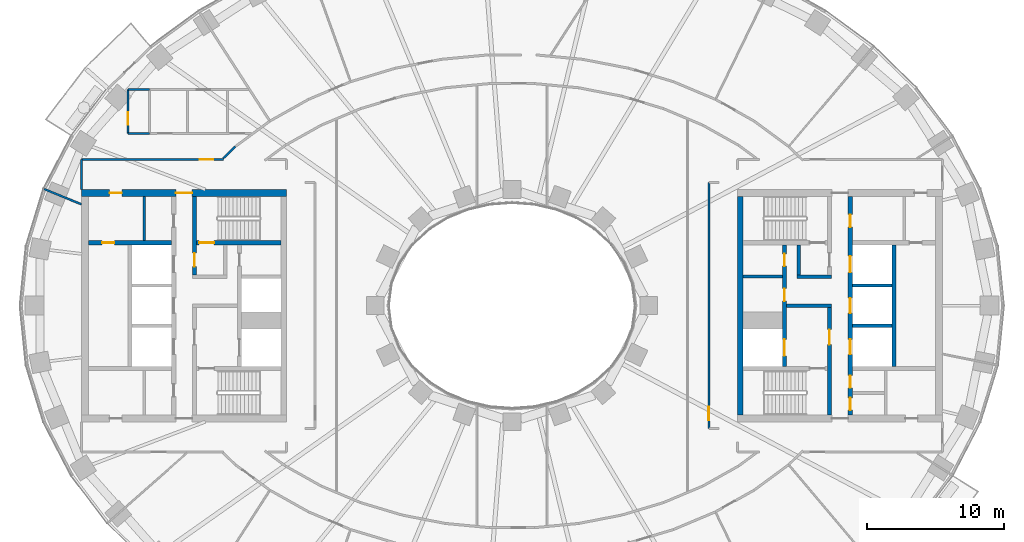
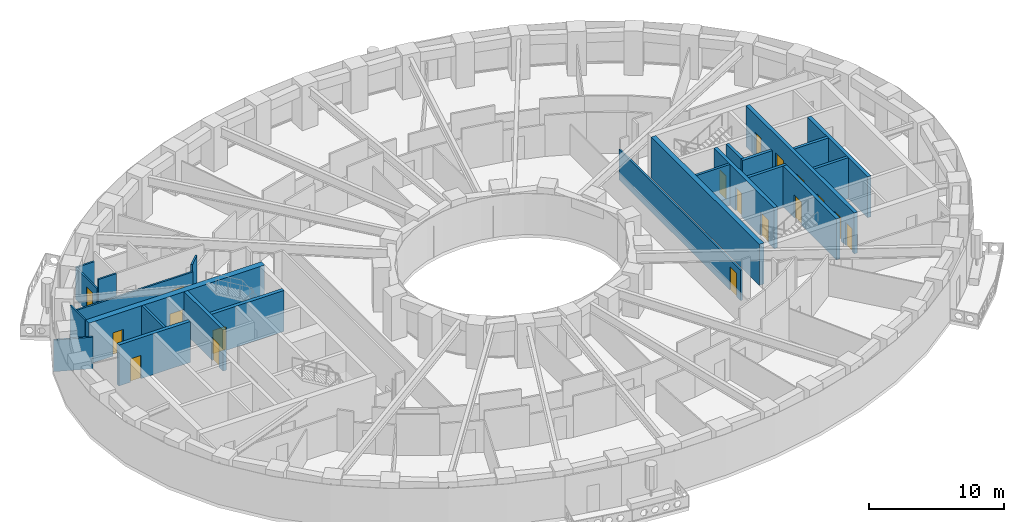
# One storey, part 5 of 16: 24 walls, 18 doors, 18 openings.
"""IFC4 building model written with IfcOpenShell, lengths in metres."""

from ifc_helpers import new_model, si_unit, direction, frame, frame_2d, origin, place, context, subcontext, project, spatial, rectangle, extrude, material, layer, layer_set, type_object, element, fill, save


model = new_model("IFC4")

# Units and contexts
model_context = context("Model", 3, precision=1e-05, world=origin(), true_north=direction((0.0, 1.0)))
body_context = subcontext(model_context, "Body", "Model", "MODEL_VIEW")
ifc_project = project(units=[si_unit("LENGTHUNIT", "METRE"), si_unit("AREAUNIT", "SQUARE_METRE"), si_unit("VOLUMEUNIT", "CUBIC_METRE"), si_unit("PLANEANGLEUNIT", "RADIAN"), si_unit("MASSUNIT", "GRAM", prefix="KILO")], contexts=[model_context])

# Site, building, storey
site_placement = place(None, origin())
site = spatial("IfcSite", under=ifc_project, at=site_placement, CompositionType="ELEMENT")
building_placement = place(site_placement, origin())
building = spatial("IfcBuilding", under=site, at=building_placement, Name="Noorbagh Ring Tower", CompositionType="ELEMENT")
storey_placement = place(building_placement, frame((0.0, 0.0, 70.5)))
storey = spatial("IfcBuildingStorey", under=building, at=storey_placement, Name="L15", CompositionType="ELEMENT", Elevation=70.5)

# Wall, opening, door
ifc_material_1 = material(Name="Gypsum board on steel studs", Category="steel")
ifc_layer_1 = layer(ifc_material_1, 0.14990234375)
ifc_layer_set_1 = layer_set([ifc_layer_1], Name="Gypsum board on steel studs")
wall_type_1 = type_object("IfcWallType", Name="COMPARTMENT PARTITION 150 EI 60", PredefinedType="PARTITIONING", material=ifc_layer_set_1)
wall_1_placement = place(storey_placement, frame((-28.09912109375, 12.60009765625, 0.0), z_axis=(0.0, 0.0, 1.0), x_axis=(0.0, 1.0, 0.0)))
wall_1 = element("IfcWall", 1, at=wall_1_placement, inside=storey, type_object=wall_type_1, Name="L15/wall/P07", PredefinedType="PARTITIONING", context=body_context, shape_type="SweptSolid", body=[
    extrude(rectangle(XDim=3.19580078125, YDim=0.14990234375, at=frame_2d((1.597900390625, 0.0))), origin(), (0.0, 0.0, 1.0), 2.85009765625),
])
opening_1_placement = place(wall_1_placement, frame((0.64990234375, 0.0, 0.0)))
opening_1 = element("IfcOpeningElement", 2, at=opening_1_placement, cuts=wall_1, Name="Opening D4", PredefinedType="OPENING", context=body_context, shape_type="SweptSolid", body=[
    extrude(rectangle(XDim=0.89990234375, YDim=2.10009765625, at=frame_2d((0.449951171875, 1.050048828125))), frame((0.0, 0.0849609375, 0.0), z_axis=(0.0, -1.0, 0.0), x_axis=(1.0, 0.0, 0.0)), (0.0, 0.0, 1.0), 0.169921875),
])
ifc_material_2 = material(Name="Timber, painted", Category="wood")
door_type_1 = type_object("IfcDoorType", Name="DOOR 900 X 2100 FD60", OperationType="SINGLE_SWING_LEFT", PredefinedType="DOOR", material=ifc_material_2)
door_1_placement = place(opening_1_placement, origin())
door_1 = element("IfcDoor", 3, at=door_1_placement, inside=storey, type_object=door_type_1, Name="L15-D05", OperationType="SINGLE_SWING_LEFT", OverallHeight=2.10009765625, OverallWidth=0.89990234375, PredefinedType="DOOR", context=body_context, shape_type="SweptSolid", body=[
    extrude(rectangle(XDim=0.89990234375, YDim=2.10009765625, at=frame_2d((0.449951171875, 1.050048828125))), frame((0.0, 0.02490234375, 0.0), z_axis=(0.0, -1.0, 0.0), x_axis=(1.0, 0.0, 0.0)), (0.0, 0.0, 1.0), 0.050048828125),
])
fill(opening_1, door_1)

# Walls
wall_2_placement = place(storey_placement, frame((-28.09912109375, 12.60009765625, 0.0), z_axis=(0.0, 0.0, 1.0), x_axis=(1.0, 0.0, 0.0)))
element("IfcWall", 4, at=wall_2_placement, inside=storey, type_object=wall_type_1, Name="L15/wall/P08", PredefinedType="PARTITIONING", context=body_context, shape_type="SweptSolid", body=[
    extrude(rectangle(XDim=1.56005859375, YDim=0.14990234375, at=frame_2d((0.780029296875, 0.0))), origin(), (0.0, 0.0, 1.0), 3.699951171875),
])
wall_3_placement = place(storey_placement, frame((-28.094970703125, 15.800048828125, 0.0), z_axis=(0.0, 0.0, 1.0), x_axis=(1.0, 0.0, 0.0)))
element("IfcWall", 5, at=wall_3_placement, inside=storey, type_object=wall_type_1, Name="L15/wall/P09", PredefinedType="PARTITIONING", context=body_context, shape_type="SweptSolid", body=[
    extrude(rectangle(XDim=1.555908203125, YDim=0.14990234375, at=frame_2d((0.77783203125, 0.0))), origin(), (0.0, 0.0, 1.0), 2.85009765625),
])
ifc_material_3 = material(Name="Gypsum board on steel studs", Category="steel")
ifc_layer_2 = layer(ifc_material_3, 0.199951171875)
ifc_layer_set_2 = layer_set([ifc_layer_2], Name="Gypsum board on steel studs")
wall_type_2 = type_object("IfcWallType", Name="CORE-PARTITION-200", PredefinedType="PARTITIONING", material=ifc_layer_set_2)
wall_4_placement = place(storey_placement, frame((-26.89990234375, 4.75, 0.0), z_axis=(0.0, 0.0, 1.0), x_axis=(0.0, 1.0, 0.0)))
element("IfcWall", 6, at=wall_4_placement, inside=storey, type_object=wall_type_2, Name="Core partition W", PredefinedType="PARTITIONING", context=body_context, shape_type="SweptSolid", body=[
    extrude(rectangle(XDim=3.25, YDim=0.199951171875, at=frame_2d((1.625, 0.0))), origin(), (0.0, 0.0, 1.0), 3.699951171875),
])
wall_5_placement = place(storey_placement, frame((16.89990234375, 2.125, 0.0), z_axis=(0.0, 0.0, 1.0), x_axis=(1.0, 0.0, 0.0)))
element("IfcWall", 7, at=wall_5_placement, inside=storey, type_object=wall_type_2, Name="Core partition E", PredefinedType="PARTITIONING", context=body_context, shape_type="SweptSolid", body=[
    extrude(rectangle(XDim=2.900146484375, YDim=0.199951171875, at=frame_2d((1.4501953125, 0.0))), origin(), (0.0, 0.0, 1.0), 3.699951171875),
])
ifc_material_4 = material(Name="Concrete C70/85", Category="concrete")
ifc_layer_3 = layer(ifc_material_4, 0.25)
ifc_layer_set_3 = layer_set([ifc_layer_3], Name="Concrete C70/85")
wall_type_3 = type_object("IfcWallType", Name="CORE-WALL-250-C70-85-EI120", PredefinedType="SHEAR", material=ifc_layer_set_3)
for number, where, z_axis, x_axis, name in (
    (8, (24.89990234375, -1.47509765625, 0.0), (0.0, 0.0, 1.0), (1.0, 0.0, 0.0), "Core wall E"),
    (9, (24.89990234375, 1.47509765625, 0.0), (0.0, 0.0, 1.0), (1.0, 0.0, 0.0), "Core wall E"),
):
    element("IfcWall", number, at=place(storey_placement, frame(where, z_axis=z_axis, x_axis=x_axis)), inside=storey, type_object=wall_type_3, Name=name, PredefinedType="SHEAR", context=body_context, shape_type="SweptSolid", body=[
        extrude(rectangle(XDim=2.900146484375, YDim=0.25, at=frame_2d((1.4501953125, 0.0))), origin(), (0.0, 0.0, 1.0), 3.699951171875),
    ])
ifc_material_5 = material(Name="Concrete C70/85", Category="concrete")
ifc_layer_4 = layer(ifc_material_5, 0.25)
ifc_layer_set_4 = layer_set([ifc_layer_4], Name="Concrete C70/85")
wall_type_4 = type_object("IfcWallType", Name="CORE-WALL-250-C70-85-EI240", PredefinedType="SHEAR", material=ifc_layer_set_4)
wall_6_placement = place(storey_placement, frame((20.10009765625, 0.0, 0.0), z_axis=(0.0, 0.0, 1.0), x_axis=(1.0, 0.0, 0.0)))
element("IfcWall", 10, at=wall_6_placement, inside=storey, type_object=wall_type_4, Name="Core wall E", PredefinedType="SHEAR", context=body_context, shape_type="SweptSolid", body=[
    extrude(rectangle(XDim=3.27978515625, YDim=0.25, at=frame_2d((1.639892578125, 0.0))), origin(), (0.0, 0.0, 1.0), 3.699951171875),
])
wall_7_placement = place(storey_placement, frame((20.85009765625, 2.125, 0.0), z_axis=(0.0, 0.0, 1.0), x_axis=(1.0, 0.0, 0.0)))
element("IfcWall", 11, at=wall_7_placement, inside=storey, type_object=wall_type_4, Name="Core wall E", PredefinedType="SHEAR", context=body_context, shape_type="SweptSolid", body=[
    extrude(rectangle(XDim=2.52978515625, YDim=0.25, at=frame_2d((1.264892578125, 0.0))), origin(), (0.0, 0.0, 1.0), 3.699951171875),
])
wall_8_placement = place(storey_placement, frame((20.97509765625, 2.25, 0.0), z_axis=(0.0, 0.0, 1.0), x_axis=(0.0, 1.0, 0.0)))
element("IfcWall", 12, at=wall_8_placement, inside=storey, type_object=wall_type_4, Name="Core wall E", PredefinedType="SHEAR", context=body_context, shape_type="SweptSolid", body=[
    extrude(rectangle(XDim=2.199951171875, YDim=0.25, at=frame_2d((1.10009765625, 0.0))), origin(), (0.0, 0.0, 1.0), 3.699951171875),
])
ifc_material_6 = material(Name="Concrete C70/85", Category="concrete")
ifc_layer_5 = layer(ifc_material_6, 0.300048828125)
ifc_layer_set_5 = layer_set([ifc_layer_5], Name="Concrete C70/85")
wall_type_5 = type_object("IfcWallType", Name="CORE-WALL-300-C70-85-EI120", PredefinedType="SHEAR", material=ifc_layer_set_5)
wall_9_placement = place(storey_placement, frame((27.949951171875, -4.449951171875, 0.0), z_axis=(0.0, 0.0, 1.0), x_axis=(0.0, 1.0, 0.0)))
element("IfcWall", 13, at=wall_9_placement, inside=storey, type_object=wall_type_5, Name="Core wall E", PredefinedType="SHEAR", context=body_context, shape_type="SweptSolid", body=[
    extrude(rectangle(XDim=8.89990234375, YDim=0.300048828125, at=frame_2d((4.449951171875, 0.0))), origin(), (0.0, 0.0, 1.0), 3.699951171875),
])

# Wall, openings, doors
wall_10_placement = place(storey_placement, frame((19.949951171875, -4.449951171875, 0.0), z_axis=(0.0, 0.0, 1.0), x_axis=(0.0, 1.0, 0.0)))
wall_10 = element("IfcWall", 14, at=wall_10_placement, inside=storey, type_object=wall_type_5, Name="Core wall E", PredefinedType="SHEAR", context=body_context, shape_type="SweptSolid", body=[
    extrude(rectangle(XDim=8.89990234375, YDim=0.300048828125, at=frame_2d((4.449951171875, 0.0))), origin(), (0.0, 0.0, 1.0), 3.699951171875),
])
opening_2_placement = place(wall_10_placement, frame((0.77490234375, 0.0, 0.0)))
opening_2 = element("IfcOpeningElement", 15, at=opening_2_placement, cuts=wall_10, Name="Opening L15-CE01", PredefinedType="OPENING", context=body_context, shape_type="SweptSolid", body=[
    extrude(rectangle(XDim=1.199951171875, YDim=2.10009765625, at=frame_2d((0.60009765625, 1.050048828125))), frame((0.0, 0.16015625, 0.0), z_axis=(0.0, -1.0, 0.0), x_axis=(1.0, 0.0, 0.0)), (0.0, 0.0, 1.0), 0.320068359375),
])
opening_3_placement = place(wall_10_placement, frame((4.78759765625, 0.0, 0.0)))
opening_3 = element("IfcOpeningElement", 16, at=opening_3_placement, cuts=wall_10, Name="Opening L15-CE11", PredefinedType="OPENING", context=body_context, shape_type="SweptSolid", body=[
    extrude(rectangle(XDim=0.89990234375, YDim=2.10009765625, at=frame_2d((0.449951171875, 1.050048828125))), frame((0.0, 0.16015625, 0.0), z_axis=(0.0, -1.0, 0.0), x_axis=(1.0, 0.0, 0.0)), (0.0, 0.0, 1.0), 0.320068359375),
])
opening_4_placement = place(wall_10_placement, frame((7.33740234375, 0.0, 0.0)))
opening_4 = element("IfcOpeningElement", 17, at=opening_4_placement, cuts=wall_10, Name="Opening L15-CE12", PredefinedType="OPENING", context=body_context, shape_type="SweptSolid", body=[
    extrude(rectangle(XDim=0.89990234375, YDim=2.10009765625, at=frame_2d((0.449951171875, 1.050048828125))), frame((0.0, 0.16015625, 0.0), z_axis=(0.0, -1.0, 0.0), x_axis=(1.0, 0.0, 0.0)), (0.0, 0.0, 1.0), 0.320068359375),
])
ifc_material_7 = material(Name="Steel door leaf", Category="steel")
door_type_2 = type_object("IfcDoorType", Name="CORE-DOOR-DROOM", OperationType="SINGLE_SWING_LEFT", PredefinedType="DOOR", material=ifc_material_7)
door_2_placement = place(opening_3_placement, origin())
door_2 = element("IfcDoor", 18, at=door_2_placement, inside=storey, type_object=door_type_2, Name="Core room door L15-CE11", OperationType="SINGLE_SWING_RIGHT", OverallHeight=2.10009765625, OverallWidth=0.89990234375, PredefinedType="DOOR", context=body_context, shape_type="SweptSolid", body=[
    extrude(rectangle(XDim=0.89990234375, YDim=2.10009765625, at=frame_2d((0.449951171875, 1.050048828125))), frame((0.0, 0.02490234375, 0.0), z_axis=(0.0, -1.0, 0.0), x_axis=(1.0, 0.0, 0.0)), (0.0, 0.0, 1.0), 0.050048828125),
])
fill(opening_3, door_2)
door_3_placement = place(opening_4_placement, origin())
door_3 = element("IfcDoor", 19, at=door_3_placement, inside=storey, type_object=door_type_2, Name="Core room door L15-CE12", OperationType="SINGLE_SWING_RIGHT", OverallHeight=2.10009765625, OverallWidth=0.89990234375, PredefinedType="DOOR", context=body_context, shape_type="SweptSolid", body=[
    extrude(rectangle(XDim=0.89990234375, YDim=2.10009765625, at=frame_2d((0.449951171875, 1.050048828125))), frame((0.0, 0.02490234375, 0.0), z_axis=(0.0, -1.0, 0.0), x_axis=(1.0, 0.0, 0.0)), (0.0, 0.0, 1.0), 0.050048828125),
])
fill(opening_4, door_3)
ifc_material_8 = material(Name="Steel door leaf", Category="steel")
door_type_3 = type_object("IfcDoorType", Name="CORE-DOOR-LDW", OperationType="DOUBLE_DOOR_SLIDING", PredefinedType="DOOR", material=ifc_material_8)
door_4_placement = place(opening_2_placement, origin())
door_4 = element("IfcDoor", 20, at=door_4_placement, inside=storey, type_object=door_type_3, Name="Landing door FF2 L15-CE01", OperationType="DOUBLE_DOOR_SLIDING", OverallHeight=2.10009765625, OverallWidth=1.199951171875, PredefinedType="DOOR", context=body_context, shape_type="SweptSolid", body=[
    extrude(rectangle(XDim=1.199951171875, YDim=2.10009765625, at=frame_2d((0.60009765625, 1.050048828125))), frame((0.0, 0.02490234375, 0.0), z_axis=(0.0, -1.0, 0.0), x_axis=(1.0, 0.0, 0.0)), (0.0, 0.0, 1.0), 0.050048828125),
])
fill(opening_2, door_4)

wall_11_placement = place(storey_placement, frame((24.75, -8.0, 0.0), z_axis=(0.0, 0.0, 1.0), x_axis=(0.0, 1.0, 0.0)))
wall_11 = element("IfcWall", 21, at=wall_11_placement, inside=storey, type_object=wall_type_5, Name="Core wall E", PredefinedType="SHEAR", context=body_context, shape_type="SweptSolid", body=[
    extrude(rectangle(XDim=16.0, YDim=0.300048828125, at=frame_2d((8.0, 0.0))), origin(), (0.0, 0.0, 1.0), 3.699951171875),
])
opening_5_placement = place(wall_11_placement, frame((4.425048828125, 0.0, 0.0)))
opening_5 = element("IfcOpeningElement", 22, at=opening_5_placement, cuts=wall_11, Name="Opening L15-CE02", PredefinedType="OPENING", context=body_context, shape_type="SweptSolid", body=[
    extrude(rectangle(XDim=1.10009765625, YDim=2.10009765625, at=frame_2d((0.550048828125, 1.050048828125))), frame((0.0, 0.16015625, 0.0), z_axis=(0.0, -1.0, 0.0), x_axis=(1.0, 0.0, 0.0)), (0.0, 0.0, 1.0), 0.320068359375),
])
opening_6_placement = place(wall_11_placement, frame((7.449951171875, 0.0, 0.0)))
opening_6 = element("IfcOpeningElement", 23, at=opening_6_placement, cuts=wall_11, Name="Opening L15-CE03", PredefinedType="OPENING", context=body_context, shape_type="SweptSolid", body=[
    extrude(rectangle(XDim=1.10009765625, YDim=2.10009765625, at=frame_2d((0.550048828125, 1.050048828125))), frame((0.0, 0.16015625, 0.0), z_axis=(0.0, -1.0, 0.0), x_axis=(1.0, 0.0, 0.0)), (0.0, 0.0, 1.0), 0.320068359375),
])
opening_7_placement = place(wall_11_placement, frame((10.425048828125, 0.0, 0.0)))
opening_7 = element("IfcOpeningElement", 24, at=opening_7_placement, cuts=wall_11, Name="Opening L15-CE04", PredefinedType="OPENING", context=body_context, shape_type="SweptSolid", body=[
    extrude(rectangle(XDim=1.199951171875, YDim=2.10009765625, at=frame_2d((0.60009765625, 1.050048828125))), frame((0.0, 0.16015625, 0.0), z_axis=(0.0, -1.0, 0.0), x_axis=(1.0, 0.0, 0.0)), (0.0, 0.0, 1.0), 0.320068359375),
])
opening_8_placement = place(wall_11_placement, frame((13.75, 0.0, 0.0)))
opening_8 = element("IfcOpeningElement", 25, at=opening_8_placement, cuts=wall_11, Name="Opening L15-CE13", PredefinedType="OPENING", context=body_context, shape_type="SweptSolid", body=[
    extrude(rectangle(XDim=0.89990234375, YDim=2.10009765625, at=frame_2d((0.449951171875, 1.050048828125))), frame((0.0, 0.16015625, 0.0), z_axis=(0.0, -1.0, 0.0), x_axis=(1.0, 0.0, 0.0)), (0.0, 0.0, 1.0), 0.320068359375),
])
opening_9_placement = place(wall_11_placement, frame((1.97509765625, 0.0, 0.0)))
opening_9 = element("IfcOpeningElement", 26, at=opening_9_placement, cuts=wall_11, Name="Opening L15-CE15", PredefinedType="OPENING", context=body_context, shape_type="SweptSolid", body=[
    extrude(rectangle(XDim=0.89990234375, YDim=2.10009765625, at=frame_2d((0.449951171875, 1.050048828125))), frame((0.0, 0.16015625, 0.0), z_axis=(0.0, -1.0, 0.0), x_axis=(1.0, 0.0, 0.0)), (0.0, 0.0, 1.0), 0.320068359375),
])
opening_10_placement = place(wall_11_placement, frame((0.35009765625, 0.0, 0.0)))
opening_10 = element("IfcOpeningElement", 27, at=opening_10_placement, cuts=wall_11, Name="Opening L15-CE16", PredefinedType="OPENING", context=body_context, shape_type="SweptSolid", body=[
    extrude(rectangle(XDim=0.89990234375, YDim=2.10009765625, at=frame_2d((0.449951171875, 1.050048828125))), frame((0.0, 0.16015625, 0.0), z_axis=(0.0, -1.0, 0.0), x_axis=(1.0, 0.0, 0.0)), (0.0, 0.0, 1.0), 0.320068359375),
])
door_5_placement = place(opening_8_placement, origin())
door_5 = element("IfcDoor", 28, at=door_5_placement, inside=storey, type_object=door_type_2, Name="Core room door L15-CE13", OperationType="SINGLE_SWING_LEFT", OverallHeight=2.10009765625, OverallWidth=0.89990234375, PredefinedType="DOOR", context=body_context, shape_type="SweptSolid", body=[
    extrude(rectangle(XDim=0.89990234375, YDim=2.10009765625, at=frame_2d((0.449951171875, 1.050048828125))), frame((0.0, 0.02490234375, 0.0), z_axis=(0.0, -1.0, 0.0), x_axis=(1.0, 0.0, 0.0)), (0.0, 0.0, 1.0), 0.050048828125),
])
fill(opening_8, door_5)
door_6_placement = place(opening_9_placement, origin())
door_6 = element("IfcDoor", 29, at=door_6_placement, inside=storey, type_object=door_type_2, Name="Core room door L15-CE15", OperationType="SINGLE_SWING_LEFT", OverallHeight=2.10009765625, OverallWidth=0.89990234375, PredefinedType="DOOR", context=body_context, shape_type="SweptSolid", body=[
    extrude(rectangle(XDim=0.89990234375, YDim=2.10009765625, at=frame_2d((0.449951171875, 1.050048828125))), frame((0.0, 0.02490234375, 0.0), z_axis=(0.0, -1.0, 0.0), x_axis=(1.0, 0.0, 0.0)), (0.0, 0.0, 1.0), 0.050048828125),
])
fill(opening_9, door_6)
door_7_placement = place(opening_10_placement, origin())
door_7 = element("IfcDoor", 30, at=door_7_placement, inside=storey, type_object=door_type_2, Name="Core room door L15-CE16", OperationType="SINGLE_SWING_RIGHT", OverallHeight=2.10009765625, OverallWidth=0.89990234375, PredefinedType="DOOR", context=body_context, shape_type="SweptSolid", body=[
    extrude(rectangle(XDim=0.89990234375, YDim=2.10009765625, at=frame_2d((0.449951171875, 1.050048828125))), frame((0.0, 0.02490234375, 0.0), z_axis=(0.0, -1.0, 0.0), x_axis=(1.0, 0.0, 0.0)), (0.0, 0.0, 1.0), 0.050048828125),
])
fill(opening_10, door_7)
ifc_material_9 = material(Name="Steel door leaf", Category="steel")
door_type_4 = type_object("IfcDoorType", Name="CORE-DOOR-LD", OperationType="DOUBLE_DOOR_SLIDING", PredefinedType="DOOR", material=ifc_material_9)
door_8_placement = place(opening_5_placement, origin())
door_8 = element("IfcDoor", 31, at=door_8_placement, inside=storey, type_object=door_type_4, Name="Landing door LR3 L15-CE02", OperationType="DOUBLE_DOOR_SLIDING", OverallHeight=2.10009765625, OverallWidth=1.10009765625, PredefinedType="DOOR", context=body_context, shape_type="SweptSolid", body=[
    extrude(rectangle(XDim=1.10009765625, YDim=2.10009765625, at=frame_2d((0.550048828125, 1.050048828125))), frame((0.0, 0.02490234375, 0.0), z_axis=(0.0, -1.0, 0.0), x_axis=(1.0, 0.0, 0.0)), (0.0, 0.0, 1.0), 0.050048828125),
])
fill(opening_5, door_8)
door_9_placement = place(opening_6_placement, origin())
door_9 = element("IfcDoor", 32, at=door_9_placement, inside=storey, type_object=door_type_4, Name="Landing door LR4 L15-CE03", OperationType="DOUBLE_DOOR_SLIDING", OverallHeight=2.10009765625, OverallWidth=1.10009765625, PredefinedType="DOOR", context=body_context, shape_type="SweptSolid", body=[
    extrude(rectangle(XDim=1.10009765625, YDim=2.10009765625, at=frame_2d((0.550048828125, 1.050048828125))), frame((0.0, 0.02490234375, 0.0), z_axis=(0.0, -1.0, 0.0), x_axis=(1.0, 0.0, 0.0)), (0.0, 0.0, 1.0), 0.050048828125),
])
fill(opening_6, door_9)
door_10_placement = place(opening_7_placement, origin())
door_10 = element("IfcDoor", 33, at=door_10_placement, inside=storey, type_object=door_type_3, Name="Landing door SV2 L15-CE04", OperationType="DOUBLE_DOOR_SLIDING", OverallHeight=2.10009765625, OverallWidth=1.199951171875, PredefinedType="DOOR", context=body_context, shape_type="SweptSolid", body=[
    extrude(rectangle(XDim=1.199951171875, YDim=2.10009765625, at=frame_2d((0.60009765625, 1.050048828125))), frame((0.0, 0.02490234375, 0.0), z_axis=(0.0, -1.0, 0.0), x_axis=(1.0, 0.0, 0.0)), (0.0, 0.0, 1.0), 0.050048828125),
])
fill(opening_7, door_10)

# Wall, opening, door
ifc_material_10 = material(Name="Concrete C70/85", Category="concrete")
ifc_layer_6 = layer(ifc_material_10, 0.300048828125)
ifc_layer_set_6 = layer_set([ifc_layer_6], Name="Concrete C70/85")
wall_type_6 = type_object("IfcWallType", Name="CORE-WALL-300-C70-85-EI240", PredefinedType="SHEAR", material=ifc_layer_set_6)
wall_12_placement = place(storey_placement, frame((-24.89990234375, 4.60009765625, 0.0), z_axis=(0.0, 0.0, 1.0), x_axis=(-1.0, 0.0, 0.0)))
wall_12 = element("IfcWall", 34, at=wall_12_placement, inside=storey, type_object=wall_type_6, Name="Core wall W", PredefinedType="SHEAR", context=body_context, shape_type="SweptSolid", body=[
    extrude(rectangle(XDim=6.10009765625, YDim=0.300048828125, at=frame_2d((3.050048828125, 0.0))), origin(), (0.0, 0.0, 1.0), 3.699951171875),
])
opening_11_placement = place(wall_12_placement, frame((4.199951171875, 0.0, 0.0)))
opening_11 = element("IfcOpeningElement", 35, at=opening_11_placement, cuts=wall_12, Name="Opening L15-CW16", PredefinedType="OPENING", context=body_context, shape_type="SweptSolid", body=[
    extrude(rectangle(XDim=0.89990234375, YDim=2.10009765625, at=frame_2d((0.449951171875, 1.050048828125))), frame((0.0, 0.16015625, 0.0), z_axis=(0.0, -1.0, 0.0), x_axis=(1.0, 0.0, 0.0)), (0.0, 0.0, 1.0), 0.320068359375),
])
door_11_placement = place(opening_11_placement, origin())
door_11 = element("IfcDoor", 36, at=door_11_placement, inside=storey, type_object=door_type_2, Name="Core room door L15-CW16", OperationType="SINGLE_SWING_LEFT", OverallHeight=2.10009765625, OverallWidth=0.89990234375, PredefinedType="DOOR", context=body_context, shape_type="SweptSolid", body=[
    extrude(rectangle(XDim=0.89990234375, YDim=2.10009765625, at=frame_2d((0.449951171875, 1.050048828125))), frame((0.0, 0.02490234375, 0.0), z_axis=(0.0, -1.0, 0.0), x_axis=(1.0, 0.0, 0.0)), (0.0, 0.0, 1.0), 0.050048828125),
])
fill(opening_11, door_11)

wall_13_placement = place(storey_placement, frame((-23.22998046875, 2.25, 0.0), z_axis=(0.0, 0.0, 1.0), x_axis=(0.0, 1.0, 0.0)))
wall_13 = element("IfcWall", 37, at=wall_13_placement, inside=storey, type_object=wall_type_6, Name="Core wall W", PredefinedType="SHEAR", context=body_context, shape_type="SweptSolid", body=[
    extrude(rectangle(XDim=5.75, YDim=0.300048828125, at=frame_2d((2.875, 0.0))), origin(), (0.0, 0.0, 1.0), 3.699951171875),
])
opening_12_placement = place(wall_13_placement, frame((0.60009765625, 0.0, 0.0)))
opening_12 = element("IfcOpeningElement", 38, at=opening_12_placement, cuts=wall_13, Name="Opening L15-CW08", PredefinedType="OPENING", context=body_context, shape_type="SweptSolid", body=[
    extrude(rectangle(XDim=1.0, YDim=2.10009765625, at=frame_2d((0.5, 1.050048828125))), frame((0.0, 0.16015625, 0.0), z_axis=(0.0, -1.0, 0.0), x_axis=(1.0, 0.0, 0.0)), (0.0, 0.0, 1.0), 0.320068359375),
])
ifc_material_11 = material(Name="Steel door leaf", Category="steel")
door_type_5 = type_object("IfcDoorType", Name="CORE-DOOR-DVEST", OperationType="SINGLE_SWING_LEFT", PredefinedType="DOOR", material=ifc_material_11)
door_12_placement = place(opening_12_placement, origin())
door_12 = element("IfcDoor", 39, at=door_12_placement, inside=storey, type_object=door_type_5, Name="Stair vestibule door L15-CW08", OperationType="SINGLE_SWING_LEFT", OverallHeight=2.10009765625, OverallWidth=1.0, PredefinedType="DOOR", context=body_context, shape_type="SweptSolid", body=[
    extrude(rectangle(XDim=1.0, YDim=2.10009765625, at=frame_2d((0.5, 1.050048828125))), frame((0.0, 0.02490234375, 0.0), z_axis=(0.0, -1.0, 0.0), x_axis=(1.0, 0.0, 0.0)), (0.0, 0.0, 1.0), 0.050048828125),
])
fill(opening_12, door_12)

wall_14_placement = place(storey_placement, frame((-16.89990234375, 4.60009765625, 0.0), z_axis=(0.0, 0.0, 1.0), x_axis=(-1.0, 0.0, 0.0)))
wall_14 = element("IfcWall", 40, at=wall_14_placement, inside=storey, type_object=wall_type_6, Name="Core wall W", PredefinedType="SHEAR", context=body_context, shape_type="SweptSolid", body=[
    extrude(rectangle(XDim=6.18017578125, YDim=0.300048828125, at=frame_2d((3.090087890625, 0.0))), origin(), (0.0, 0.0, 1.0), 3.699951171875),
])
opening_13_placement = place(wall_14_placement, frame((4.89990234375, 0.0, 0.0)))
opening_13 = element("IfcOpeningElement", 41, at=opening_13_placement, cuts=wall_14, Name="Opening L15-CW05", PredefinedType="OPENING", context=body_context, shape_type="SweptSolid", body=[
    extrude(rectangle(XDim=1.10009765625, YDim=2.10009765625, at=frame_2d((0.550048828125, 1.050048828125))), frame((0.0, 0.16015625, 0.0), z_axis=(0.0, -1.0, 0.0), x_axis=(1.0, 0.0, 0.0)), (0.0, 0.0, 1.0), 0.320068359375),
])
ifc_material_12 = material(Name="Steel door leaf", Category="steel")
door_type_6 = type_object("IfcDoorType", Name="CORE-DOOR-DSTAIR", OperationType="SINGLE_SWING_LEFT", PredefinedType="DOOR", material=ifc_material_12)
door_13_placement = place(opening_13_placement, origin())
door_13 = element("IfcDoor", 42, at=door_13_placement, inside=storey, type_object=door_type_6, Name="Stair door ST1 L15-CW05", OperationType="SINGLE_SWING_RIGHT", OverallHeight=2.10009765625, OverallWidth=1.10009765625, PredefinedType="DOOR", context=body_context, shape_type="SweptSolid", body=[
    extrude(rectangle(XDim=1.10009765625, YDim=2.10009765625, at=frame_2d((0.550048828125, 1.050048828125))), frame((0.0, 0.02490234375, 0.0), z_axis=(0.0, -1.0, 0.0), x_axis=(1.0, 0.0, 0.0)), (0.0, 0.0, 1.0), 0.050048828125),
])
fill(opening_13, door_13)

wall_15_placement = place(storey_placement, frame((23.22998046875, -8.0, 0.0), z_axis=(0.0, 0.0, 1.0), x_axis=(0.0, 1.0, 0.0)))
wall_15 = element("IfcWall", 43, at=wall_15_placement, inside=storey, type_object=wall_type_6, Name="Core wall E", PredefinedType="SHEAR", context=body_context, shape_type="SweptSolid", body=[
    extrude(rectangle(XDim=7.875, YDim=0.300048828125, at=frame_2d((3.9375, 0.0))), origin(), (0.0, 0.0, 1.0), 3.699951171875),
])
opening_14_placement = place(wall_15_placement, frame((5.14990234375, 0.0, 0.0)))
opening_14 = element("IfcOpeningElement", 44, at=opening_14_placement, cuts=wall_15, Name="Opening L15-CE07", PredefinedType="OPENING", context=body_context, shape_type="SweptSolid", body=[
    extrude(rectangle(XDim=1.10009765625, YDim=2.10009765625, at=frame_2d((0.550048828125, 1.050048828125))), frame((0.0, 0.16015625, 0.0), z_axis=(0.0, -1.0, 0.0), x_axis=(1.0, 0.0, 0.0)), (0.0, 0.0, 1.0), 0.320068359375),
])
ifc_material_13 = material(Name="Steel door leaf", Category="steel")
door_type_7 = type_object("IfcDoorType", Name="CORE-DOOR-DFF", OperationType="SINGLE_SWING_LEFT", PredefinedType="DOOR", material=ifc_material_13)
door_14_placement = place(opening_14_placement, origin())
door_14 = element("IfcDoor", 45, at=door_14_placement, inside=storey, type_object=door_type_7, Name="Firefighting lobby door L15-CE07", OperationType="SINGLE_SWING_RIGHT", OverallHeight=2.10009765625, OverallWidth=1.10009765625, PredefinedType="DOOR", context=body_context, shape_type="SweptSolid", body=[
    extrude(rectangle(XDim=1.10009765625, YDim=2.10009765625, at=frame_2d((0.550048828125, 1.050048828125))), frame((0.0, 0.02490234375, 0.0), z_axis=(0.0, -1.0, 0.0), x_axis=(1.0, 0.0, 0.0)), (0.0, 0.0, 1.0), 0.050048828125),
])
fill(opening_14, door_14)

# Wall
ifc_material_14 = material(Name="Concrete C70/85", Category="concrete")
ifc_layer_7 = layer(ifc_material_14, 0.39990234375)
ifc_layer_set_7 = layer_set([ifc_layer_7], Name="Concrete C70/85")
wall_type_7 = type_object("IfcWallType", Name="CORE-WALL-400-C70-85-EI240", PredefinedType="SHEAR", material=ifc_layer_set_7)
wall_16_placement = place(storey_placement, frame((16.699951171875, -8.0, 0.0), z_axis=(0.0, 0.0, 1.0), x_axis=(0.0, 1.0, 0.0)))
element("IfcWall", 46, at=wall_16_placement, inside=storey, type_object=wall_type_7, Name="Core wall E", PredefinedType="SHEAR", context=body_context, shape_type="SweptSolid", body=[
    extrude(rectangle(XDim=16.0, YDim=0.39990234375, at=frame_2d((8.0, 0.0))), origin(), (0.0, 0.0, 1.0), 3.699951171875),
])

# Wall, openings, doors
ifc_material_15 = material(Name="Concrete C70/85", Category="concrete")
ifc_layer_8 = layer(ifc_material_15, 0.5)
ifc_layer_set_8 = layer_set([ifc_layer_8], Name="Concrete C70/85")
wall_type_8 = type_object("IfcWallType", Name="CORE-WALL-500-C70-85-EI240", PredefinedType="SHEAR", material=ifc_layer_set_8)
wall_17_placement = place(storey_placement, frame((-16.5, 8.25, 0.0), z_axis=(0.0, 0.0, 1.0), x_axis=(-1.0, 0.0, 0.0)))
wall_17 = element("IfcWall", 47, at=wall_17_placement, inside=storey, type_object=wall_type_8, Name="Core wall W", PredefinedType="SHEAR", context=body_context, shape_type="SweptSolid", body=[
    extrude(rectangle(XDim=15.0, YDim=0.5, at=frame_2d((7.5, 0.0))), origin(), (0.0, 0.0, 1.0), 3.699951171875),
])
opening_15_placement = place(wall_17_placement, frame((6.89990234375, 0.0, 0.0)))
opening_15 = element("IfcOpeningElement", 48, at=opening_15_placement, cuts=wall_17, Name="Opening L15-CW09", PredefinedType="OPENING", context=body_context, shape_type="SweptSolid", body=[
    extrude(rectangle(XDim=1.199951171875, YDim=2.10009765625, at=frame_2d((0.60009765625, 1.050048828125))), frame((0.0, 0.260009765625, 0.0), z_axis=(0.0, -1.0, 0.0), x_axis=(1.0, 0.0, 0.0)), (0.0, 0.0, 1.0), 0.52001953125),
])
opening_16_placement = place(wall_17_placement, frame((12.050048828125, 0.0, 0.0)))
opening_16 = element("IfcOpeningElement", 49, at=opening_16_placement, cuts=wall_17, Name="Opening L15-CW13", PredefinedType="OPENING", context=body_context, shape_type="SweptSolid", body=[
    extrude(rectangle(XDim=0.89990234375, YDim=2.10009765625, at=frame_2d((0.449951171875, 1.050048828125))), frame((0.0, 0.260009765625, 0.0), z_axis=(0.0, -1.0, 0.0), x_axis=(1.0, 0.0, 0.0)), (0.0, 0.0, 1.0), 0.52001953125),
])
door_15_placement = place(opening_16_placement, origin())
door_15 = element("IfcDoor", 50, at=door_15_placement, inside=storey, type_object=door_type_2, Name="Core room door L15-CW13", OperationType="SINGLE_SWING_RIGHT", OverallHeight=2.10009765625, OverallWidth=0.89990234375, PredefinedType="DOOR", context=body_context, shape_type="SweptSolid", body=[
    extrude(rectangle(XDim=0.89990234375, YDim=2.10009765625, at=frame_2d((0.449951171875, 1.050048828125))), frame((0.0, 0.02490234375, 0.0), z_axis=(0.0, -1.0, 0.0), x_axis=(1.0, 0.0, 0.0)), (0.0, 0.0, 1.0), 0.050048828125),
])
fill(opening_16, door_15)
ifc_material_16 = material(Name="Steel door leaf", Category="steel")
door_type_8 = type_object("IfcDoorType", Name="CORE-DOOR-PORT", OperationType="DOUBLE_DOOR_DOUBLE_SWING", PredefinedType="DOOR", material=ifc_material_16)
door_16_placement = place(opening_15_placement, origin())
door_16 = element("IfcDoor", 51, at=door_16_placement, inside=storey, type_object=door_type_8, Name="Core entrance door L15-CW09", OperationType="DOUBLE_DOOR_DOUBLE_SWING", OverallHeight=2.10009765625, OverallWidth=1.199951171875, PredefinedType="DOOR", context=body_context, shape_type="SweptSolid", body=[
    extrude(rectangle(XDim=1.199951171875, YDim=2.10009765625, at=frame_2d((0.60009765625, 1.050048828125))), frame((0.0, 0.02490234375, 0.0), z_axis=(0.0, -1.0, 0.0), x_axis=(1.0, 0.0, 0.0)), (0.0, 0.0, 1.0), 0.050048828125),
])
fill(opening_15, door_16)

# Walls
ifc_material_17 = material(Name="Gypsum board on steel studs", Category="steel")
ifc_layer_9 = layer(ifc_material_17, 0.14990234375)
ifc_layer_set_9 = layer_set([ifc_layer_9], Name="Gypsum board on steel studs")
wall_type_9 = type_object("IfcWallType", Name="CORRIDOR PARTITION 150 EI 30", PredefinedType="PARTITIONING", material=ifc_layer_set_9)
wall_18_placement = place(storey_placement, frame((-34.23388671875, 8.530029296875, 0.0), z_axis=(0.0, 0.0, 1.0), x_axis=(0.925344112436, -0.379128307542, 0.0)))
element("IfcWall", 52, at=wall_18_placement, inside=storey, type_object=wall_type_9, Name="L15/wall/P01", PredefinedType="PARTITIONING", context=body_context, shape_type="SweptSolid", body=[
    extrude(rectangle(XDim=2.954345703125, YDim=0.14990234375, at=frame_2d((1.47705078125, 0.0))), origin(), (0.0, 0.0, 1.0), 2.85009765625),
])
wall_19_placement = place(storey_placement, frame((-31.5, 8.5, 0.0), z_axis=(0.0, 0.0, 1.0), x_axis=(0.0, 1.0, 0.0)))
element("IfcWall", 53, at=wall_19_placement, inside=storey, type_object=wall_type_9, Name="L15/wall/P04", PredefinedType="PARTITIONING", context=body_context, shape_type="SweptSolid", body=[
    extrude(rectangle(XDim=2.199951171875, YDim=0.14990234375, at=frame_2d((1.10009765625, 0.0))), origin(), (0.0, 0.0, 1.0), 3.699951171875),
])

# Wall, opening, door
wall_20_placement = place(storey_placement, frame((-31.5, 10.699951171875, 0.0), z_axis=(0.0, 0.0, 1.0), x_axis=(1.0, 0.0, 0.0)))
wall_20 = element("IfcWall", 54, at=wall_20_placement, inside=storey, type_object=wall_type_9, Name="L15/wall/P05", PredefinedType="PARTITIONING", context=body_context, shape_type="SweptSolid", body=[
    extrude(rectangle(XDim=10.39599609375, YDim=0.14990234375, at=frame_2d((5.197998046875, 0.0))), origin(), (0.0, 0.0, 1.0), 3.10009765625),
])
opening_17_placement = place(wall_20_placement, frame((8.637939453125, 0.0, 0.0)))
opening_17 = element("IfcOpeningElement", 55, at=opening_17_placement, cuts=wall_20, Name="Opening D1", PredefinedType="OPENING", context=body_context, shape_type="SweptSolid", body=[
    extrude(rectangle(XDim=1.0, YDim=2.10009765625, at=frame_2d((0.5, 1.050048828125))), frame((0.0, 0.0849609375, 0.0), z_axis=(0.0, -1.0, 0.0), x_axis=(1.0, 0.0, 0.0)), (0.0, 0.0, 1.0), 0.169921875),
])
ifc_material_18 = material(Name="Timber, painted", Category="wood")
door_type_9 = type_object("IfcDoorType", Name="DOOR 1000 X 2100 FD30", OperationType="SINGLE_SWING_LEFT", PredefinedType="DOOR", material=ifc_material_18)
door_17_placement = place(opening_17_placement, origin())
door_17 = element("IfcDoor", 56, at=door_17_placement, inside=storey, type_object=door_type_9, Name="L15-D01", OperationType="SINGLE_SWING_LEFT", OverallHeight=2.10009765625, OverallWidth=1.0, PredefinedType="DOOR", context=body_context, shape_type="SweptSolid", body=[
    extrude(rectangle(XDim=1.0, YDim=2.10009765625, at=frame_2d((0.5, 1.050048828125))), frame((0.0, 0.02490234375, 0.0), z_axis=(0.0, -1.0, 0.0), x_axis=(1.0, 0.0, 0.0)), (0.0, 0.0, 1.0), 0.050048828125),
])
fill(opening_17, door_17)

# Wall
wall_21_placement = place(storey_placement, frame((-21.135009765625, 10.77490234375, 0.0), z_axis=(0.0, 0.0, 1.0), x_axis=(0.717043956417, 0.697027951065, 0.0)))
element("IfcWall", 57, at=wall_21_placement, inside=storey, type_object=wall_type_9, Name="L15/wall/P17", PredefinedType="PARTITIONING", context=body_context, shape_type="SweptSolid", body=[
    extrude(rectangle(XDim=1.244140625, YDim=0.14990234375, at=frame_2d((0.6220703125, 0.0))), origin(), (0.0, 0.0, 1.0), 3.699951171875),
])

# Wall, opening, door
wall_22_placement = place(storey_placement, frame((14.39990234375, -9.0, 0.0), z_axis=(0.0, 0.0, 1.0), x_axis=(0.0, 1.0, 0.0)))
wall_22 = element("IfcWall", 58, at=wall_22_placement, inside=storey, type_object=wall_type_9, Name="L15/wall/P83", PredefinedType="PARTITIONING", context=body_context, shape_type="SweptSolid", body=[
    extrude(rectangle(XDim=18.0, YDim=0.14990234375, at=frame_2d((9.0, 0.0))), origin(), (0.0, 0.0, 1.0), 2.75),
])
opening_18_placement = place(wall_22_placement, frame((0.60009765625, 0.0, 0.0)))
opening_18 = element("IfcOpeningElement", 59, at=opening_18_placement, cuts=wall_22, Name="Opening D1", PredefinedType="OPENING", context=body_context, shape_type="SweptSolid", body=[
    extrude(rectangle(XDim=1.0, YDim=2.10009765625, at=frame_2d((0.5, 1.050048828125))), frame((0.0, 0.0849609375, 0.0), z_axis=(0.0, -1.0, 0.0), x_axis=(1.0, 0.0, 0.0)), (0.0, 0.0, 1.0), 0.169921875),
])
door_18_placement = place(opening_18_placement, origin())
door_18 = element("IfcDoor", 60, at=door_18_placement, inside=storey, type_object=door_type_9, Name="L15-D26", OperationType="SINGLE_SWING_RIGHT", OverallHeight=2.10009765625, OverallWidth=1.0, PredefinedType="DOOR", context=body_context, shape_type="SweptSolid", body=[
    extrude(rectangle(XDim=1.0, YDim=2.10009765625, at=frame_2d((0.5, 1.050048828125))), frame((0.0, 0.02490234375, 0.0), z_axis=(0.0, -1.0, 0.0), x_axis=(1.0, 0.0, 0.0)), (0.0, 0.0, 1.0), 0.050048828125),
])
fill(opening_18, door_18)

save(model, "model.ifc")
